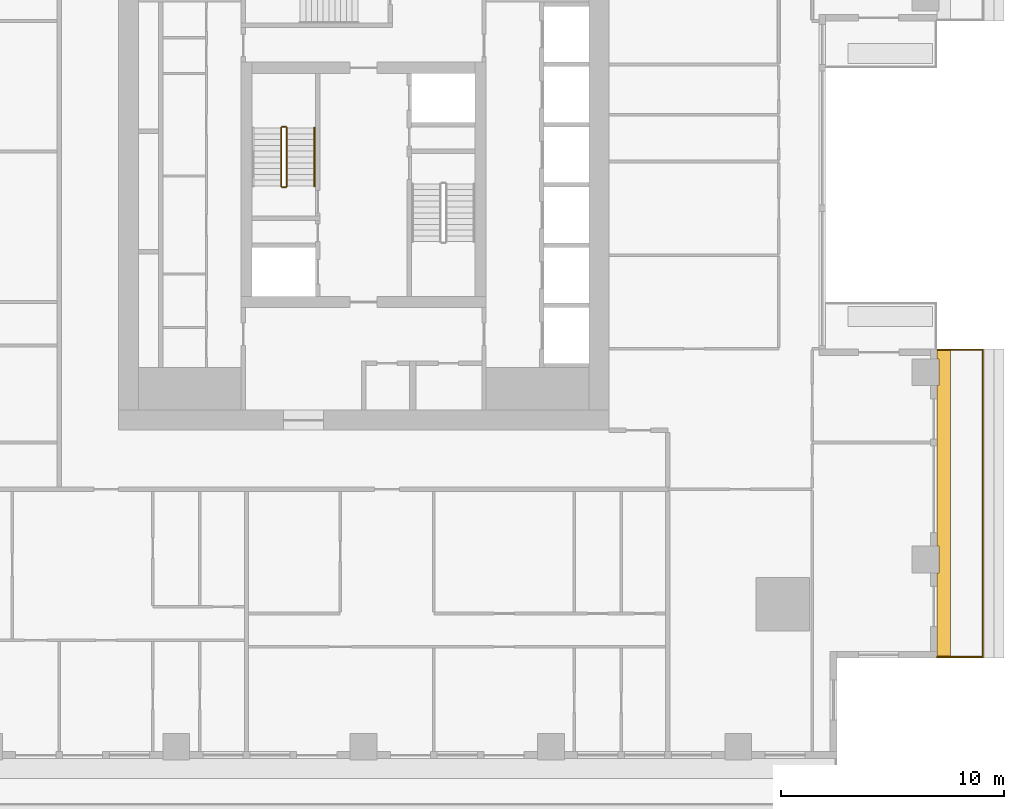
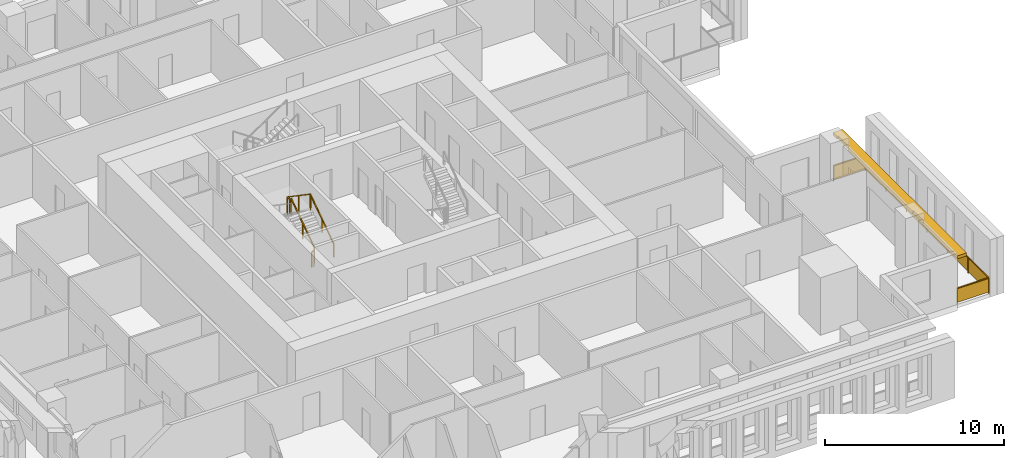
# One storey, part 13 of 16: 6 railings, 1 shading device.
"""IFC4 building model written with IfcOpenShell, lengths in metres."""

from ifc_helpers import new_model, si_unit, direction, frame, origin, origin_2d, place, context, subcontext, project, spatial, polyline, rectangle, outline, extrude, material, layer, layer_set, type_object, element, save


model = new_model("IFC4")

# Units and contexts
model_context = context("Model", 3, precision=1e-05, world=origin(), true_north=direction((0.0, 1.0)))
body_context = subcontext(model_context, "Body", "Model", "MODEL_VIEW")
ifc_project = project(units=[si_unit("LENGTHUNIT", "METRE"), si_unit("AREAUNIT", "SQUARE_METRE"), si_unit("VOLUMEUNIT", "CUBIC_METRE"), si_unit("PLANEANGLEUNIT", "RADIAN"), si_unit("MASSUNIT", "GRAM", prefix="KILO")], contexts=[model_context])

# Site, building, storey
site_placement = place(None, origin())
site = spatial("IfcSite", under=ifc_project, at=site_placement, CompositionType="ELEMENT")
building_placement = place(site_placement, origin())
building = spatial("IfcBuilding", under=site, at=building_placement, Name="Khepri Terraces", CompositionType="ELEMENT")
storey_placement = place(building_placement, frame((0.0, 0.0, 204.0)))
storey = spatial("IfcBuildingStorey", under=building, at=storey_placement, Name="L48", CompositionType="ELEMENT", Elevation=204.0)

# Railings
ifc_material_1 = material(Name="Stainless steel grade 316", Category="steel")
railing_type_1 = type_object("IfcRailingType", Name="GRD-BAL-1100", PredefinedType="GUARDRAIL", material=ifc_material_1)
railing_1_placement = place(storey_placement, frame((25.719970703125, -21.169921875, 0.0)))
element("IfcRailing", 1, at=railing_1_placement, inside=storey, type_object=railing_type_1, Name="Balcony guard L48 E", PredefinedType="GUARDRAIL", context=body_context, shape_type="SweptSolid", body=[
    extrude(rectangle(XDim=0.050048828125, YDim=0.06005859375, at=origin_2d()), frame((0.0, 0.0, 1.070068359375), z_axis=(1.0, 0.0, 0.0), x_axis=(0.0, 1.0, 0.0)), (0.0, 0.0, 1.0), 2.050048828125),
    extrude(rectangle(XDim=2.0, YDim=0.011962890625, at=origin_2d()), frame((1.02490234375, 0.0, 0.10009765625), z_axis=(0.0, 0.0, 1.0), x_axis=(1.0, 0.0, 0.0)), (0.0, 0.0, 1.0), 0.93994140625),
    extrude(rectangle(XDim=0.050048828125, YDim=0.06005859375, at=origin_2d()), frame((2.050048828125, 0.0, 1.070068359375), z_axis=(0.0, 1.0, 0.0), x_axis=(-1.0, 0.0, 0.0)), (0.0, 0.0, 1.0), 13.77001953125),
    extrude(rectangle(XDim=2.244873046875, YDim=0.011962890625, at=origin_2d()), frame((2.050048828125, 1.1474609375, 0.10009765625), z_axis=(0.0, 0.0, 1.0), x_axis=(0.0, 1.0, 0.0)), (0.0, 0.0, 1.0), 0.93994140625),
    extrude(rectangle(XDim=2.244873046875, YDim=0.011962890625, at=origin_2d()), frame((2.050048828125, 3.4423828125, 0.10009765625), z_axis=(0.0, 0.0, 1.0), x_axis=(0.0, 1.0, 0.0)), (0.0, 0.0, 1.0), 0.93994140625),
    extrude(rectangle(XDim=2.244873046875, YDim=0.011962890625, at=origin_2d()), frame((2.050048828125, 5.737548828125, 0.10009765625), z_axis=(0.0, 0.0, 1.0), x_axis=(0.0, 1.0, 0.0)), (0.0, 0.0, 1.0), 0.93994140625),
    extrude(rectangle(XDim=2.244873046875, YDim=0.011962890625, at=origin_2d()), frame((2.050048828125, 8.032470703125, 0.10009765625), z_axis=(0.0, 0.0, 1.0), x_axis=(0.0, 1.0, 0.0)), (0.0, 0.0, 1.0), 0.93994140625),
    extrude(rectangle(XDim=2.244873046875, YDim=0.011962890625, at=origin_2d()), frame((2.050048828125, 10.32763671875, 0.10009765625), z_axis=(0.0, 0.0, 1.0), x_axis=(0.0, 1.0, 0.0)), (0.0, 0.0, 1.0), 0.93994140625),
    extrude(rectangle(XDim=2.244873046875, YDim=0.011962890625, at=origin_2d()), frame((2.050048828125, 12.62255859375, 0.10009765625), z_axis=(0.0, 0.0, 1.0), x_axis=(0.0, 1.0, 0.0)), (0.0, 0.0, 1.0), 0.93994140625),
    extrude(rectangle(XDim=0.050048828125, YDim=0.06005859375, at=origin_2d()), frame((2.050048828125, 13.77001953125, 1.070068359375), z_axis=(-1.0, 0.0, 0.0), x_axis=(0.0, -1.0, 0.0)), (0.0, 0.0, 1.0), 2.050048828125),
    extrude(rectangle(XDim=2.0, YDim=0.011962890625, at=origin_2d()), frame((1.02490234375, 13.77001953125, 0.10009765625), z_axis=(0.0, 0.0, 1.0), x_axis=(-1.0, 0.0, 0.0)), (0.0, 0.0, 1.0), 0.93994140625),
    extrude(rectangle(XDim=0.050048828125, YDim=0.050048828125, at=origin_2d()), origin(), (0.0, 0.0, 1.0), 1.0400390625),
    extrude(rectangle(XDim=0.050048828125, YDim=0.050048828125, at=origin_2d()), frame((2.050048828125, 0.0, 0.0)), (0.0, 0.0, 1.0), 1.0400390625),
    extrude(rectangle(XDim=0.050048828125, YDim=0.050048828125, at=origin_2d()), frame((2.050048828125, 2.294921875, 0.0)), (0.0, 0.0, 1.0), 1.0400390625),
    extrude(rectangle(XDim=0.050048828125, YDim=0.050048828125, at=origin_2d()), frame((2.050048828125, 4.590087890625, 0.0)), (0.0, 0.0, 1.0), 1.0400390625),
    extrude(rectangle(XDim=0.050048828125, YDim=0.050048828125, at=origin_2d()), frame((2.050048828125, 6.885009765625, 0.0)), (0.0, 0.0, 1.0), 1.0400390625),
    extrude(rectangle(XDim=0.050048828125, YDim=0.050048828125, at=origin_2d()), frame((2.050048828125, 9.179931640625, 0.0)), (0.0, 0.0, 1.0), 1.0400390625),
    extrude(rectangle(XDim=0.050048828125, YDim=0.050048828125, at=origin_2d()), frame((2.050048828125, 11.47509765625, 0.0)), (0.0, 0.0, 1.0), 1.0400390625),
    extrude(rectangle(XDim=0.050048828125, YDim=0.050048828125, at=origin_2d()), frame((2.050048828125, 13.77001953125, 0.0)), (0.0, 0.0, 1.0), 1.0400390625),
    extrude(rectangle(XDim=0.050048828125, YDim=0.050048828125, at=origin_2d()), frame((0.0, 13.77001953125, 0.0)), (0.0, 0.0, 1.0), 1.0400390625),
])
ifc_material_2 = material(Name="Stainless steel 316", Category="steel")
railing_type_2 = type_object("IfcRailingType", Name="RL-CORE-GUARD", PredefinedType="GUARDRAIL", material=ifc_material_2)
railing_2_placement = place(storey_placement, frame((-3.449951171875, -0.050048828125, 0.17724609375)))
element("IfcRailing", 2, at=railing_2_placement, inside=storey, type_object=railing_type_2, Name="L48 ST-1 stair guard 1", PredefinedType="GUARDRAIL", context=body_context, shape_type="SweptSolid", body=[
    extrude(rectangle(XDim=0.050048828125, YDim=0.06005859375, at=origin_2d()), frame((0.0, 0.0, 1.070068359375), z_axis=(0.0, 0.826240473404, 0.563317565952), x_axis=(-1.0, 0.0, 0.0)), (0.0, 0.0, 1.0), 3.14697265625),
    extrude(rectangle(XDim=0.050048828125, YDim=0.050048828125, at=origin_2d()), origin(), (0.0, 0.0, 1.0), 1.0400390625),
    extrude(rectangle(XDim=0.050048828125, YDim=0.050048828125, at=origin_2d()), frame((0.0, 1.300048828125, 0.88623046875)), (0.0, 0.0, 1.0), 1.0400390625),
    extrude(rectangle(XDim=0.050048828125, YDim=0.050048828125, at=origin_2d()), frame((0.0, 2.60009765625, 1.772705078125)), (0.0, 0.0, 1.0), 1.0400390625),
])
railing_3_placement = place(storey_placement, frame((-3.5, 2.60009765625, 1.949951171875)))
element("IfcRailing", 3, at=railing_3_placement, inside=storey, type_object=railing_type_2, Name="L48 ST-1 stair guard 2", PredefinedType="GUARDRAIL", context=body_context, shape_type="SweptSolid", body=[
    extrude(rectangle(XDim=0.050048828125, YDim=0.06005859375, at=origin_2d()), frame((0.0, 0.0, 1.070068359375), z_axis=(-1.0, 0.0, 0.0), x_axis=(0.0, -1.0, 0.0)), (0.0, 0.0, 1.0), 0.14990234375),
    extrude(rectangle(XDim=0.050048828125, YDim=0.050048828125, at=origin_2d()), origin(), (0.0, 0.0, 1.0), 1.0400390625),
    extrude(rectangle(XDim=0.050048828125, YDim=0.050048828125, at=origin_2d()), frame((-0.14990234375, 0.0, 0.0)), (0.0, 0.0, 1.0), 1.0400390625),
])
railing_4_placement = place(storey_placement, frame((-3.699951171875, 2.550048828125, 2.127197265625)))
element("IfcRailing", 4, at=railing_4_placement, inside=storey, type_object=railing_type_2, Name="L48 ST-1 stair guard 3", PredefinedType="GUARDRAIL", context=body_context, shape_type="SweptSolid", body=[
    extrude(rectangle(XDim=0.050048828125, YDim=0.06005859375, at=origin_2d()), frame((0.0, 0.0, 1.070068359375), z_axis=(0.0, -0.826240473404, 0.563317565952), x_axis=(1.0, 0.0, 0.0)), (0.0, 0.0, 1.0), 3.14697265625),
    extrude(rectangle(XDim=0.050048828125, YDim=0.050048828125, at=origin_2d()), origin(), (0.0, 0.0, 1.0), 1.0400390625),
    extrude(rectangle(XDim=0.050048828125, YDim=0.050048828125, at=origin_2d()), frame((0.0, -1.300048828125, 0.88623046875)), (0.0, 0.0, 1.0), 1.0400390625),
    extrude(rectangle(XDim=0.050048828125, YDim=0.050048828125, at=origin_2d()), frame((0.0, -2.60009765625, 1.772705078125)), (0.0, 0.0, 1.0), 1.0400390625),
])
railing_5_placement = place(storey_placement, frame((-3.5, -0.10009765625, 0.0)))
element("IfcRailing", 5, at=railing_5_placement, inside=storey, type_object=railing_type_2, Name="L48 ST-1 stair guard 4", PredefinedType="GUARDRAIL", context=body_context, shape_type="SweptSolid", body=[
    extrude(rectangle(XDim=0.050048828125, YDim=0.06005859375, at=origin_2d()), frame((0.0, 0.0, 1.070068359375), z_axis=(-1.0, 0.0, 0.0), x_axis=(0.0, -1.0, 0.0)), (0.0, 0.0, 1.0), 0.14990234375),
    extrude(rectangle(XDim=0.050048828125, YDim=0.050048828125, at=origin_2d()), origin(), (0.0, 0.0, 1.0), 1.0400390625),
    extrude(rectangle(XDim=0.050048828125, YDim=0.050048828125, at=origin_2d()), frame((-0.14990234375, 0.0, 0.0)), (0.0, 0.0, 1.0), 1.0400390625),
])
railing_type_3 = type_object("IfcRailingType", Name="RL-CORE-HANDRAIL", PredefinedType="HANDRAIL", material=ifc_material_2)
railing_6_placement = place(storey_placement, frame((-2.199951171875, -0.050048828125, 0.17724609375)))
element("IfcRailing", 6, at=railing_6_placement, inside=storey, type_object=railing_type_3, Name="L48 ST-1 stair handrail 1", PredefinedType="HANDRAIL", context=body_context, shape_type="SweptSolid", body=[
    extrude(rectangle(XDim=0.050048828125, YDim=0.050048828125, at=origin_2d()), frame((0.0, 0.0, 0.875), z_axis=(0.0, 0.826240473404, 0.563317565952), x_axis=(-1.0, 0.0, 0.0)), (0.0, 0.0, 1.0), 3.14697265625),
    extrude(rectangle(XDim=0.050048828125, YDim=0.050048828125, at=origin_2d()), origin(), (0.0, 0.0, 1.0), 0.849853515625),
    extrude(rectangle(XDim=0.050048828125, YDim=0.050048828125, at=origin_2d()), frame((0.0, 1.300048828125, 0.88623046875)), (0.0, 0.0, 1.0), 0.849853515625),
    extrude(rectangle(XDim=0.050048828125, YDim=0.050048828125, at=origin_2d()), frame((0.0, 2.60009765625, 1.772705078125)), (0.0, 0.0, 1.0), 0.849853515625),
])

# Shading device
ifc_material_3 = material(Name="Precast concrete C50/60 warm stone", Category="masonry")
ifc_layer = layer(ifc_material_3, 0.199951171875, Name="Precast concrete C50/60 warm stone", Category="masonry")
ifc_layer_set = layer_set([ifc_layer], Name="Precast concrete C50/60 warm stone")
shading_device_type = type_object("IfcShadingDeviceType", Name="SSH-BAND-STONE-200-N", PredefinedType="USERDEFINED", material=ifc_layer_set)
shading_device_placement = place(storey_placement, frame((0.0, 0.0, 3.10009765625)))
element("IfcShadingDevice", 7, at=shading_device_placement, inside=storey, type_object=shading_device_type, Name="Sunshade band L48 E", ObjectType="SUNSHADE", PredefinedType="USERDEFINED", context=body_context, shape_type="SweptSolid", body=[
    extrude(outline(polyline([(25.719970703125, -17.39990234375), (25.719970703125, -21.219970703125), (26.320068359375, -21.219970703125), (26.320068359375, -7.35009765625), (25.719970703125, -7.35009765625), (25.719970703125, -7.800048828125), (25.800048828125, -7.800048828125), (25.800048828125, -9.0), (25.719970703125, -9.0), (25.719970703125, -16.199951171875), (25.800048828125, -16.199951171875), (25.800048828125, -17.39990234375), (25.719970703125, -17.39990234375)])), origin(), (0.0, 0.0, 1.0), 0.199951171875),
])

save(model, "model.ifc")
